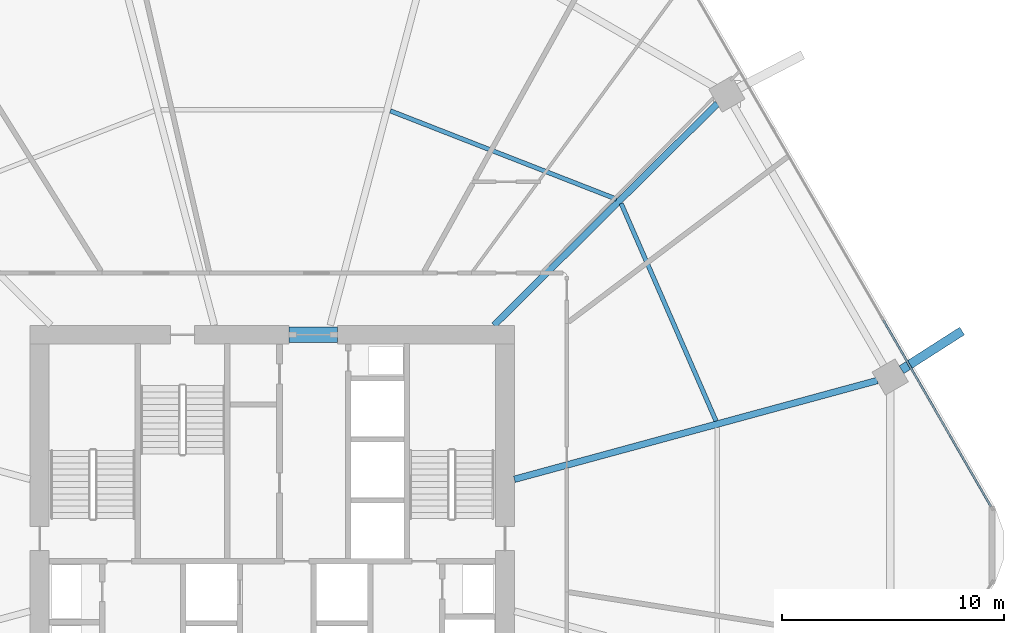
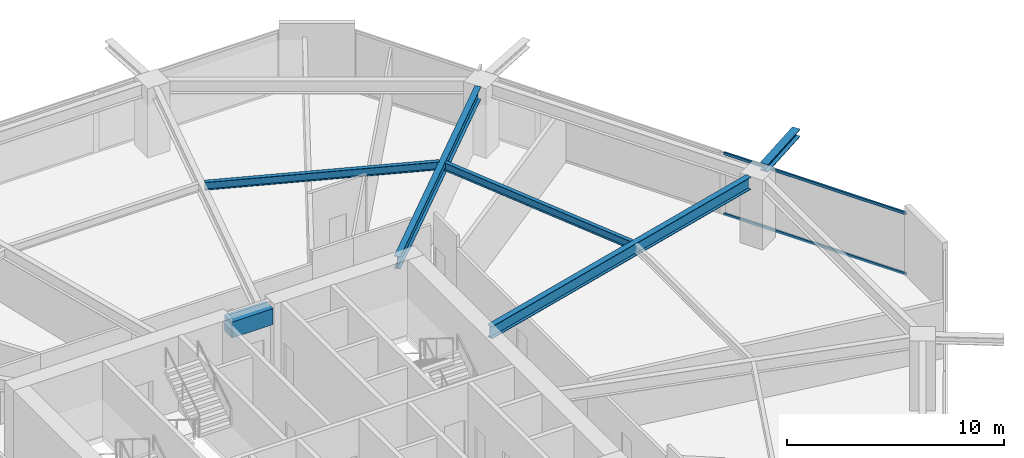
# One storey, part 16 of 26: 6 beams, 2 members, 1 element without a shape of its own.
"""IFC4 building model written with IfcOpenShell, lengths in metres."""

from ifc_helpers import new_model, si_unit, direction, frame, origin, origin_2d, place, context, subcontext, project, spatial, rectangle, hollow_rectangle, i_section, extrude, material, material_profile, profile_set, type_object, element, aggregate, save


model = new_model("IFC4")

# Units and contexts
model_context = context("Model", 3, precision=1e-05, world=origin(), true_north=direction((0.0, 1.0)))
body_context = subcontext(model_context, "Body", "Model", "MODEL_VIEW")
ifc_project = project(units=[si_unit("LENGTHUNIT", "METRE"), si_unit("AREAUNIT", "SQUARE_METRE"), si_unit("VOLUMEUNIT", "CUBIC_METRE"), si_unit("PLANEANGLEUNIT", "RADIAN"), si_unit("MASSUNIT", "GRAM", prefix="KILO")], contexts=[model_context])

# Site, building, storey
site_placement = place(None, origin())
site = spatial("IfcSite", under=ifc_project, at=site_placement, CompositionType="ELEMENT")
building_placement = place(site_placement, origin())
building = spatial("IfcBuilding", under=site, at=building_placement, Name="Zuhravey Tower", CompositionType="ELEMENT")
storey_placement = place(building_placement, frame((0.0, 0.0, 28.800048828125)))
storey = spatial("IfcBuildingStorey", under=building, at=storey_placement, Name="L07", CompositionType="ELEMENT", Elevation=28.800048828125)

# Beam
ifc_material_1 = material(Name="Concrete C60/75", Category="concrete")
ifc_material_profile_1 = material_profile(ifc_material_1, rectangle(XDim=0.699951171875, YDim=0.89990234375, at=origin_2d()), Name="RC-700x900")
ifc_profile_set_1 = profile_set([ifc_material_profile_1], Name="Concrete C60/75")
beam_type_1 = type_object("IfcBeamType", Name="Core Coupling Beam RC700x900", PredefinedType="LINTEL", material=ifc_profile_set_1)
beam_1_placement = place(storey_placement, frame((36.751953125, 41.5, 3.469970703125), z_axis=(1.0, 0.0, 0.0), x_axis=(0.0, 1.0, 0.0)))
element("IfcBeam", 1, at=beam_1_placement, inside=storey, type_object=beam_type_1, Name="L07 CB1 BM-L07-CB-N", PredefinedType="LINTEL", context=body_context, shape_type="SweptSolid", body=[
    extrude(rectangle(XDim=0.699951171875, YDim=0.89990234375, at=origin_2d()), origin(), (0.0, 0.0, 1.0), 2.196044921875),
])

# Curtain wall, members
ifc_material_2 = material(Name="Thermally broken anodised aluminium", Category="aluminium")
curtain_wall_type = type_object("IfcCurtainWallType", Name="School Low-E Unitised Curtain Wall CW1", PredefinedType="NOTDEFINED", material=ifc_material_2)
curtain_wall_placement = place(storey_placement, origin())
curtain_wall = element("IfcCurtainWall", 2, at=curtain_wall_placement, inside=storey, type_object=curtain_wall_type, Name="L07 CW1 CW-L07-F1-1", PredefinedType="NOTDEFINED")
ifc_material_3 = material(Name="Anodised aluminium", Category="aluminium")
ifc_material_profile_2 = material_profile(ifc_material_3, hollow_rectangle(XDim=0.090087890625, YDim=0.14990234375, WallThickness=0.0048828125, at=origin_2d()), Name="ALU-RHS-90x150x5")
ifc_profile_set_2 = profile_set([ifc_material_profile_2], Name="Anodised aluminium")
member_type = type_object("IfcMemberType", Name="Curtain-Wall Transom 90x150", PredefinedType="USERDEFINED", material=ifc_profile_set_2)
member_1_placement = place(storey_placement, frame((63.56787109375, 42.16796875, 0.044921875), z_axis=(0.500008393077, -0.866020557985, 0.0), x_axis=(0.866020557985, 0.500008393077, 0.0)))
member_1 = element("IfcMember", 3, at=member_1_placement, type_object=member_type, Name="CW1 transom 3.1", ObjectType="TRANSOM", PredefinedType="USERDEFINED", context=body_context, shape_type="SweptSolid", body=[
    extrude(hollow_rectangle(XDim=0.090087890625, YDim=0.14990234375, WallThickness=0.0048828125, at=origin_2d()), origin(), (0.0, 0.0, 1.0), 9.731201171875),
])
member_2_placement = place(storey_placement, frame((63.56787109375, 42.16796875, 3.447021484375), z_axis=(0.500008393077, -0.866020557985, 0.0), x_axis=(0.866020557985, 0.500008393077, 0.0)))
member_2 = element("IfcMember", 4, at=member_2_placement, type_object=member_type, Name="CW1 transom 3.2", ObjectType="TRANSOM", PredefinedType="USERDEFINED", context=body_context, shape_type="SweptSolid", body=[
    extrude(hollow_rectangle(XDim=0.090087890625, YDim=0.14990234375, WallThickness=0.0048828125, at=origin_2d()), origin(), (0.0, 0.0, 1.0), 9.731201171875),
])
aggregate(curtain_wall, [member_1, member_2])

# Beams
ifc_material_4 = material(Name="Steel SM460", Category="steel")
ifc_material_profile_3 = material_profile(ifc_material_4, i_section(OverallWidth=0.406982421875, OverallDepth=0.427978515625, WebThickness=0.02001953125, FlangeThickness=0.034912109375, at=origin_2d()), Name="H-428x407x20x35")
ifc_profile_set_3 = profile_set([ifc_material_profile_3], Name="Steel SM460")
beam_type_2 = type_object("IfcBeamType", Name="Exoskeleton Node Tie Beam H428x407", PredefinedType="BEAM", material=ifc_profile_set_3)
beam_2_placement = place(storey_placement, frame((64.3984375, 39.91748046875, 3.7060546875), z_axis=(0.842345190435, 0.538938382517, 0.0), x_axis=(-0.538938382517, 0.842345190435, 0.0)))
element("IfcBeam", 5, at=beam_2_placement, inside=storey, type_object=beam_type_2, Name="L07 Exoskeleton Node Tie NT1-01", PredefinedType="BEAM", context=body_context, shape_type="SweptSolid", body=[
    extrude(i_section(OverallWidth=0.406982421875, OverallDepth=0.427978515625, WebThickness=0.02001953125, FlangeThickness=0.034912109375, at=origin_2d()), origin(), (0.0, 0.0, 1.0), 3.244384765625),
])
ifc_material_5 = material(Name="Steel SM355", Category="steel")
ifc_material_profile_4 = material_profile(ifc_material_5, i_section(OverallWidth=0.300048828125, OverallDepth=0.699951171875, WebThickness=0.012939453125, FlangeThickness=0.02392578125, at=origin_2d()), Name="H-700x300x13x24")
ifc_profile_set_4 = profile_set([ifc_material_profile_4], Name="Steel SM355")
beam_type_3 = type_object("IfcBeamType", Name="Radial Primary Girder H700x300", PredefinedType="BEAM", material=ifc_profile_set_4)
beam_3_placement = place(storey_placement, frame((46.927978515625, 34.974609375, 3.570068359375), z_axis=(0.964892480455, 0.26264520015, 0.0), x_axis=(-0.26264520015, 0.964892480455, 0.0)))
element("IfcBeam", 6, at=beam_3_placement, inside=storey, type_object=beam_type_3, Name="L07 RG1 BM-L07-RAD-01", PredefinedType="BEAM", context=body_context, shape_type="SweptSolid", body=[
    extrude(i_section(OverallWidth=0.300048828125, OverallDepth=0.699951171875, WebThickness=0.012939453125, FlangeThickness=0.02392578125, at=origin_2d()), origin(), (0.0, 0.0, 1.0), 16.975341796875),
])
beam_4_placement = place(storey_placement, frame((46.007080078125, 41.927978515625, 3.570068359375), z_axis=(0.709902823282, 0.704299639, 0.0), x_axis=(-0.704299639, 0.709902823282, 0.0)))
element("IfcBeam", 7, at=beam_4_placement, inside=storey, type_object=beam_type_3, Name="L07 RG1 BM-L07-RAD-02", PredefinedType="BEAM", context=body_context, shape_type="SweptSolid", body=[
    extrude(i_section(OverallWidth=0.300048828125, OverallDepth=0.699951171875, WebThickness=0.012939453125, FlangeThickness=0.02392578125, at=origin_2d()), origin(), (0.0, 0.0, 1.0), 14.204345703125),
])
ifc_material_profile_5 = material_profile(ifc_material_5, i_section(OverallWidth=0.199951171875, OverallDepth=0.449951171875, WebThickness=0.009033203125, FlangeThickness=0.013916015625, at=origin_2d()), Name="H-450x200x9x14")
ifc_profile_set_5 = profile_set([ifc_material_profile_5], Name="Steel SM355")
beam_type_4 = type_object("IfcBeamType", Name="Secondary Floor Joist H450x200", PredefinedType="JOIST", material=ifc_profile_set_5)
beam_5_placement = place(storey_placement, frame((56.025390625, 37.60888671875, 3.695068359375), z_axis=(-0.399923551578, 0.916548500022, 0.0), x_axis=(-0.916548500022, -0.399923551578, 0.0)))
element("IfcBeam", 8, at=beam_5_placement, inside=storey, type_object=beam_type_4, Name="L07 SJ1 BM-L07-SJ-01-1", PredefinedType="JOIST", context=body_context, shape_type="SweptSolid", body=[
    extrude(i_section(OverallWidth=0.199951171875, OverallDepth=0.449951171875, WebThickness=0.009033203125, FlangeThickness=0.013916015625, at=origin_2d()), origin(), (0.0, 0.0, 1.0), 10.70263671875),
])
beam_6_placement = place(storey_placement, frame((51.5400390625, 47.61572265625, 3.695068359375), z_axis=(-0.931516535886, 0.363698973562, 0.0), x_axis=(-0.363698973562, -0.931516535886, 0.0)))
element("IfcBeam", 9, at=beam_6_placement, inside=storey, type_object=beam_type_4, Name="L07 SJ1 BM-L07-SJ-02-1", PredefinedType="JOIST", context=body_context, shape_type="SweptSolid", body=[
    extrude(i_section(OverallWidth=0.199951171875, OverallDepth=0.449951171875, WebThickness=0.009033203125, FlangeThickness=0.013916015625, at=origin_2d()), origin(), (0.0, 0.0, 1.0), 10.963134765625),
])

save(model, "model.ifc")
